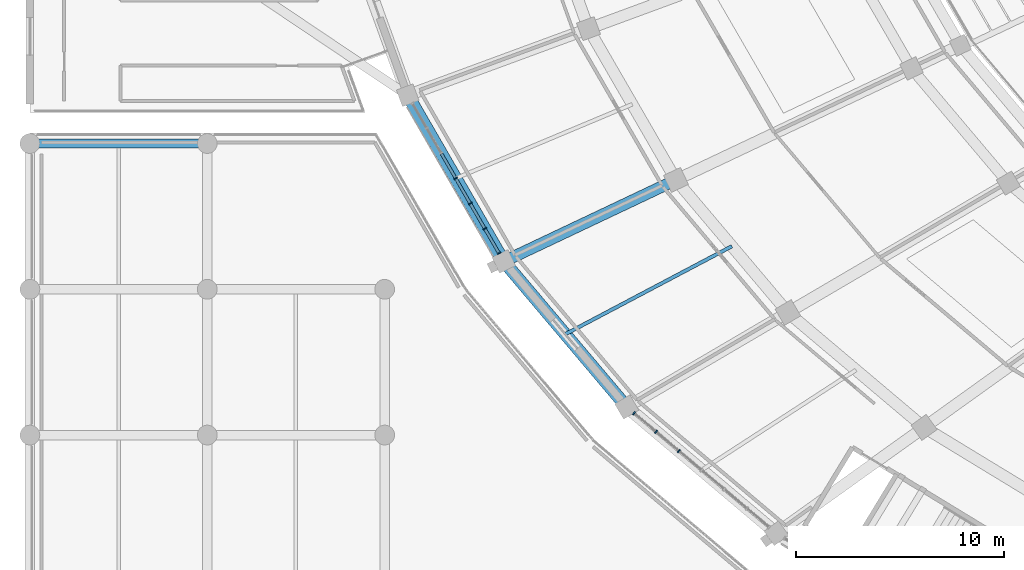
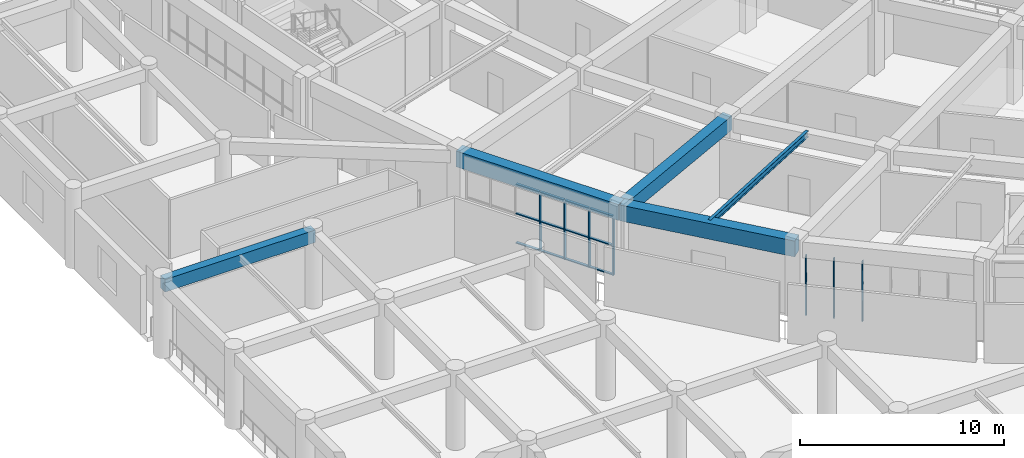
# One storey, part 17 of 152: 19 members, 5 beams, 2 elements without a shape of their own.
"""IFC4 building model written with IfcOpenShell, lengths in metres."""

import ifcopenshell
import ifcopenshell.guid

model = None  # the IFC model being written
_history = None  # IfcOwnerHistory: only IFC2X3 demands one
_inside = {}  # id of a spatial element -> (the spatial element, [elements in it])
_under = {}  # id of a project, library or spatial element -> (it, [spatial elements below it])
_declared = {}  # id of a project -> (the project, [libraries it declares])
_typed = {}  # id of a type object -> (the type object, [elements of that type])
_made_of = {}  # id of a material, layer set ... -> (it, [elements and type objects made of it])


def new_model(schema):
    """Start an empty IFC model of exactly this schema.

    Asked for "IFC4X3", IfcOpenShell would pick the latest addendum, in which some entities
    have other attributes; the version numbers below select the first issue.
    IFC2X3 requires an IfcOwnerHistory on every rooted entity: one is made here for all.
    """
    global model, _history
    if schema == "IFC4X3":
        model = ifcopenshell.file(schema_version=(4, 3, 0, 0))
    else:
        model = ifcopenshell.file(schema=schema)
    _inside.clear()
    _under.clear()
    _declared.clear()
    _typed.clear()
    _made_of.clear()
    _history = None
    if model.schema == "IFC2X3":
        org = make("IfcOrganization", Name="unknown")
        user = make(
            "IfcPersonAndOrganization",
            ThePerson=make("IfcPerson", FamilyName="unknown"),
            TheOrganization=org,
        )
        app = make(
            "IfcApplication",
            ApplicationDeveloper=org,
            Version="unknown",
            ApplicationFullName="unknown",
            ApplicationIdentifier="unknown",
        )
        _history = make(
            "IfcOwnerHistory",
            OwningUser=user,
            OwningApplication=app,
            ChangeAction="ADDED",
            CreationDate=0,
        )
    return model


def make(cls, **values):
    """One entity of the class cls with the attributes given. An attribute that is None is left unset."""
    return model.create_entity(
        cls, **{name: value for name, value in values.items() if value is not None}
    )


def rooted(cls, **values):
    """An entity with a GlobalId (a new one), such as an element, a storey or a relation."""
    return make(cls, GlobalId=ifcopenshell.guid.new(), OwnerHistory=_history, **values)


def si_unit(unit_type, name, prefix=None):
    """IfcSIUnit, for example si_unit("LENGTHUNIT", "METRE", prefix="MILLI")."""
    return make("IfcSIUnit", UnitType=unit_type, Prefix=prefix, Name=name)


def assignment(units):
    """IfcUnitAssignment: the units of a project."""
    return None if units is None else make("IfcUnitAssignment", Units=units)


def point(xyz):
    """IfcCartesianPoint."""
    return None if xyz is None else make("IfcCartesianPoint", Coordinates=xyz)


def direction(xyz):
    """IfcDirection."""
    return None if xyz is None else make("IfcDirection", DirectionRatios=xyz)


def frame(location, z_axis=None, x_axis=None):
    """IfcAxis2Placement3D, a coordinate frame: its origin and axes. An axis left out is left unset."""
    return make(
        "IfcAxis2Placement3D",
        Location=point(location),
        Axis=direction(z_axis),
        RefDirection=direction(x_axis),
    )


def frame_2d(location, x_axis=None):
    """IfcAxis2Placement2D, a coordinate frame in the plane: its origin and x axis."""
    return make(
        "IfcAxis2Placement2D", Location=point(location), RefDirection=direction(x_axis)
    )


def origin():
    """The frame at (0, 0, 0) with its axes left unset."""
    return frame((0.0, 0.0, 0.0))


def origin_2d():
    """The frame at (0, 0) in the plane with its x axis left unset."""
    return frame_2d((0.0, 0.0))


def place(relative_to, where):
    """IfcLocalPlacement: puts the frame where relative to a parent placement (None: the world)."""
    return make(
        "IfcLocalPlacement", PlacementRelTo=relative_to, RelativePlacement=where
    )


def context(
    kind, dimensions, precision=None, world=None, true_north=None, identifier=None
):
    """IfcGeometricRepresentationContext, for example the 3D "Model" context."""
    return make(
        "IfcGeometricRepresentationContext",
        ContextIdentifier=identifier,
        ContextType=kind,
        CoordinateSpaceDimension=dimensions,
        Precision=precision,
        WorldCoordinateSystem=world,
        TrueNorth=true_north,
    )


def subcontext(parent, identifier, kind, view, scale=None):
    """IfcGeometricRepresentationSubContext, for example "Body" below "Model"."""
    return make(
        "IfcGeometricRepresentationSubContext",
        ContextIdentifier=identifier,
        ContextType=kind,
        ParentContext=parent,
        TargetScale=scale,
        TargetView=view,
    )


def project(units=None, contexts=None):
    """IfcProject with its units and contexts."""
    return rooted(
        "IfcProject",
        Name="project",
        RepresentationContexts=contexts,
        UnitsInContext=assignment(units),
    )


def spatial(cls, under=None, at=None, **own):
    """A site, building, storey or space (cls), placed at a placement, below another one or the project."""
    s = rooted(cls, ObjectPlacement=at, **own)
    if under is not None:
        _under.setdefault(under.id(), (under, []))[1].append(s)
    return s


def profile(cls, at=None, kind="AREA", **sizes):
    """A parametric profile (cls). Its sizes go by their IFC names, for example OverallWidth=200.0."""
    return make(cls, ProfileType=kind, Position=at, **sizes)


def rectangle(**sizes):
    """IfcRectangleProfileDef."""
    return profile("IfcRectangleProfileDef", **sizes)


def i_section(**sizes):
    """IfcIShapeProfileDef."""
    return profile("IfcIShapeProfileDef", **sizes)


def extrude(swept, where, along, depth):
    """IfcExtrudedAreaSolid: the profile swept, set in the frame where, extruded along a direction by depth."""
    return make(
        "IfcExtrudedAreaSolid",
        SweptArea=swept,
        Position=where,
        ExtrudedDirection=direction(along),
        Depth=depth,
    )


def shape(context_of_items, identifier, shape_type, items):
    """IfcShapeRepresentation: the items that make up one representation, for example the "Body"."""
    return make(
        "IfcShapeRepresentation",
        ContextOfItems=context_of_items,
        RepresentationIdentifier=identifier,
        RepresentationType=shape_type,
        Items=items,
    )


def material(Name=None, Category=None):
    """IfcMaterial."""
    return make("IfcMaterial", Name=Name, Category=Category)


def layer(
    of_material, thickness, ventilated=None, Name=None, Category=None, Priority=None
):
    """IfcMaterialLayer: one layer of a wall or slab, of a material (None: an air gap)."""
    return make(
        "IfcMaterialLayer",
        Material=of_material,
        LayerThickness=thickness,
        IsVentilated=ventilated,
        Name=Name,
        Category=Category,
        Priority=Priority,
    )


def layer_set(layers, Name=None):
    """IfcMaterialLayerSet."""
    return make("IfcMaterialLayerSet", MaterialLayers=layers, LayerSetName=Name)


def material_profile(
    of_material, cross_section, Name=None, Category=None, Priority=None
):
    """IfcMaterialProfile: a cross section and its material."""
    return make(
        "IfcMaterialProfile",
        Name=Name,
        Material=of_material,
        Profile=cross_section,
        Priority=Priority,
        Category=Category,
    )


def profile_set(profiles, Name=None, composite=None):
    """IfcMaterialProfileSet."""
    return make(
        "IfcMaterialProfileSet",
        Name=Name,
        MaterialProfiles=profiles,
        CompositeProfile=composite,
    )


def made_of(thing, what):
    """Note that an element or type object is made of a material, layer set ...; save() writes the relation."""
    if what is not None:
        _made_of.setdefault(what.id(), (what, []))[1].append(thing)
    return thing


def type_object(cls, material=None, **own):
    """A type object (cls), such as IfcWallType, which elements share."""
    return made_of(rooted(cls, **own), material)


def element(
    cls,
    number,
    at=None,
    inside=None,
    cuts=None,
    type_object=None,
    material=None,
    context=None,
    identifier="Body",
    shape_type=None,
    held_by="IfcProductDefinitionShape",
    body=None,
    shapes=None,
    **own,
):
    """One element of the class cls, such as IfcWall. Its Tag is "e" and its number.

    at: its placement. inside: the storey or other place that contains it. cuts: it is an
    opening in that element (IfcRelVoidsElement). A single representation is given by context,
    identifier, shape_type and body (its items); several are given by shapes. held_by: the class
    of the entity that holds the representations. save() writes the other relations.
    """
    e = rooted(cls, Tag="e%d" % number, ObjectPlacement=at, **own)
    if body is not None:
        shapes = [shape(context, identifier, shape_type, body)]
    if shapes is not None:
        e.Representation = make(held_by, Representations=shapes)
    if inside is not None:
        _inside.setdefault(inside.id(), (inside, []))[1].append(e)
    if cuts is not None:
        rooted(
            "IfcRelVoidsElement", RelatingBuildingElement=cuts, RelatedOpeningElement=e
        )
    if type_object is not None:
        _typed.setdefault(type_object.id(), (type_object, []))[1].append(e)
    return made_of(e, material)


def aggregate(whole, parts):
    """IfcRelAggregates: a whole, such as a stair, and the parts it consists of."""
    return rooted("IfcRelAggregates", RelatingObject=whole, RelatedObjects=parts)


def save(model, path):
    """Write the relations noted so far, then the file.

    IfcRelAggregates (storeys below a building ...), IfcRelContainedInSpatialStructure (elements
    in a storey), IfcRelDefinesByType, IfcRelAssociatesMaterial and IfcRelDeclares: one each for
    every whole, place, type object, material and project.
    """
    for whole, parts in _under.values():
        aggregate(whole, parts)
    for where, things in _inside.values():
        rooted(
            "IfcRelContainedInSpatialStructure",
            RelatedElements=things,
            RelatingStructure=where,
        )
    for kind, things in _typed.values():
        rooted("IfcRelDefinesByType", RelatedObjects=things, RelatingType=kind)
    for what, things in _made_of.values():
        rooted("IfcRelAssociatesMaterial", RelatedObjects=things, RelatingMaterial=what)
    for by, libraries in _declared.values():
        rooted("IfcRelDeclares", RelatingContext=by, RelatedDefinitions=libraries)
    model.write(path)


model = new_model("IFC4")

# Units and contexts
model_context = context("Model", 3, precision=1e-05, world=origin(), true_north=direction((0.0, 1.0)))
body_context = subcontext(model_context, "Body", "Model", "MODEL_VIEW")
ifc_project = project(units=[si_unit("LENGTHUNIT", "METRE"), si_unit("AREAUNIT", "SQUARE_METRE"), si_unit("VOLUMEUNIT", "CUBIC_METRE"), si_unit("PLANEANGLEUNIT", "RADIAN"), si_unit("MASSUNIT", "GRAM", prefix="KILO")], contexts=[model_context])

# Site, building, storey
site_placement = place(None, origin())
site = spatial("IfcSite", under=ifc_project, at=site_placement, CompositionType="ELEMENT")
building_placement = place(site_placement, origin())
building = spatial("IfcBuilding", under=site, at=building_placement, Name="Mphavela Belvedere Stadium", CompositionType="ELEMENT")
storey_placement = place(building_placement, frame((0.0, 0.0, 5.39990234375)))
storey = spatial("IfcBuildingStorey", under=building, at=storey_placement, Name="L01", CompositionType="ELEMENT", Elevation=5.39990234375)

# Beams
ifc_material_1 = material(Name="Concrete C40/50", Category="concrete")
ifc_material_profile_1 = material_profile(ifc_material_1, rectangle(XDim=0.60009765625, YDim=0.949951171875, at=origin_2d()), Name="RC 600x950")
ifc_profile_set_1 = profile_set([ifc_material_profile_1], Name="Concrete C40/50")
beam_type_1 = type_object("IfcBeamType", Name="BM-ENTABLATURE-950", PredefinedType="SPANDREL", material=ifc_profile_set_1)
beam_1_placement = place(storey_placement, frame((18.143798828125, 51.317626953125, 4.0751953125), z_axis=(0.500565297122, -0.865698783248, 0.0), x_axis=(0.865698783248, 0.500565297122, 0.0)))
element("IfcBeam", 1, at=beam_1_placement, inside=storey, type_object=beam_type_1, Name="Circumferential girder L01 R4-28", PredefinedType="SPANDREL", context=body_context, shape_type="SweptSolid", body=[
    extrude(rectangle(XDim=0.60009765625, YDim=0.949951171875, at=origin_2d()), origin(), (0.0, 0.0, 1.0), 9.217041015625),
])
beam_2_placement = place(storey_placement, frame((22.757568359375, 43.33837890625, 4.0751953125), z_axis=(0.645164552218, -0.764043650952, 0.0), x_axis=(0.764043650952, 0.645164552218, 0.0)))
element("IfcBeam", 2, at=beam_2_placement, inside=storey, type_object=beam_type_1, Name="Circumferential girder L01 R4-29", PredefinedType="SPANDREL", context=body_context, shape_type="SweptSolid", body=[
    extrude(rectangle(XDim=0.60009765625, YDim=0.949951171875, at=origin_2d()), origin(), (0.0, 0.0, 1.0), 9.151123046875),
])
ifc_material_2 = material(Name="Steel S355", Category="steel")
ifc_material_profile_2 = material_profile(ifc_material_2, i_section(OverallWidth=0.169921875, OverallDepth=0.360107421875, WebThickness=0.008056640625, FlangeThickness=0.0126953125, at=origin_2d()), Name="IPE 360")
ifc_profile_set_2 = profile_set([ifc_material_profile_2], Name="Steel S355")
beam_type_2 = type_object("IfcBeamType", Name="BM-JOIST-IPE360", PredefinedType="JOIST", material=ifc_profile_set_2)
beam_3_placement = place(storey_placement, frame((33.7119140625, 44.06884765625, 4.3701171875), z_axis=(-0.884250771824, -0.467012390123, 0.0), x_axis=(0.467012390123, -0.884250771824, 0.0)))
element("IfcBeam", 3, at=beam_3_placement, inside=storey, type_object=beam_type_2, Name="Concourse floor joist L01-29", PredefinedType="JOIST", context=body_context, shape_type="SweptSolid", body=[
    extrude(i_section(OverallWidth=0.169921875, OverallDepth=0.360107421875, WebThickness=0.008056640625, FlangeThickness=0.0126953125, at=origin_2d()), origin(), (0.0, 0.0, 1.0), 9.0498046875),
])
ifc_material_3 = material(Name="Concrete C40/50", Category="concrete")
ifc_material_profile_3 = material_profile(ifc_material_3, rectangle(XDim=0.449951171875, YDim=0.75, at=origin_2d()), Name="RC 450x750")
ifc_profile_set_3 = profile_set([ifc_material_profile_3], Name="Concrete C40/50")
beam_type_3 = type_object("IfcBeamType", Name="BM-RC450x750", PredefinedType="BEAM", material=ifc_profile_set_3)
beam_4_placement = place(storey_placement, frame((0.0, 49.0, 4.1650390625), z_axis=(1.0, 0.0, 0.0), x_axis=(0.0, 1.0, 0.0)))
element("IfcBeam", 4, at=beam_4_placement, inside=storey, type_object=beam_type_3, Name="South Axial Triumphal Peristyle Portico entablature beam X L01 1-8", PredefinedType="BEAM", context=body_context, shape_type="SweptSolid", body=[
    extrude(rectangle(XDim=0.449951171875, YDim=0.75, at=origin_2d()), origin(), (0.0, 0.0, 1.0), 8.51904296875),
])
ifc_material_4 = material(Name="Concrete C40/50", Category="concrete")
ifc_material_profile_4 = material_profile(ifc_material_4, rectangle(XDim=0.550048828125, YDim=0.85009765625, at=origin_2d()), Name="RC 550x850")
ifc_profile_set_4 = profile_set([ifc_material_profile_4], Name="Concrete C40/50")
beam_type_4 = type_object("IfcBeamType", Name="BM-RC550x850", PredefinedType="BEAM", material=ifc_profile_set_4)
beam_5_placement = place(storey_placement, frame((31.0244140625, 47.251708984375, 4.125), z_axis=(-0.903845427073, -0.427859140325, 0.0), x_axis=(0.427859140325, -0.903845427073, 0.0)))
element("IfcBeam", 5, at=beam_5_placement, inside=storey, type_object=beam_type_4, Name="Radial concourse girder L01 R3R4-29", PredefinedType="BEAM", context=body_context, shape_type="SweptSolid", body=[
    extrude(rectangle(XDim=0.550048828125, YDim=0.85009765625, at=origin_2d()), origin(), (0.0, 0.0, 1.0), 9.146240234375),
])

# Curtain wall, members
ifc_material_5 = material(Name="Anodised bronze unitised curtain wall framing")
ifc_layer_1 = layer(ifc_material_5, 0.199951171875)
ifc_layer_set_1 = layer_set([ifc_layer_1], Name="Anodised bronze unitised curtain wall framing")
curtain_wall_type_1 = type_object("IfcCurtainWallType", Name="CW-UNIT-05", PredefinedType="USERDEFINED", material=ifc_layer_set_1)
curtain_wall_1_placement = place(storey_placement, origin())
curtain_wall_1 = element("IfcCurtainWall", 6, at=curtain_wall_1_placement, inside=storey, type_object=curtain_wall_type_1, Name="Belvedere colonnade curtain wall L01-28", ObjectType="UNITISED CURTAIN WALL", PredefinedType="USERDEFINED")
ifc_material_6 = material(Name="Anodised bronze extruded aluminium", Category="aluminium")
ifc_material_profile_5 = material_profile(ifc_material_6, rectangle(XDim=0.179931640625, YDim=0.06494140625, at=origin_2d()), Name="CW-MUL 180x65")
ifc_profile_set_5 = profile_set([ifc_material_profile_5], Name="Anodised bronze extruded aluminium")
member_type_1 = type_object("IfcMemberType", Name="CWM-180x65", PredefinedType="MULLION", material=ifc_profile_set_5)
member_1_placement = place(storey_placement, frame((20.45068359375, 47.328125, 0.0), z_axis=(0.0, 0.0, 1.0), x_axis=(0.865701507229, 0.500560586125, 0.0)))
member_1 = element("IfcMember", 7, at=member_1_placement, type_object=member_type_1, Name="CW-05 mullion 4", PredefinedType="MULLION", context=body_context, shape_type="SweptSolid", body=[
    extrude(rectangle(XDim=0.179931640625, YDim=0.06494140625, at=origin_2d()), origin(), (0.0, 0.0, 1.0), 3.570068359375),
])
member_2_placement = place(storey_placement, frame((21.149169921875, 46.120361328125, 0.0), z_axis=(0.0, 0.0, 1.0), x_axis=(0.865701507229, 0.500560586125, 0.0)))
member_2 = element("IfcMember", 8, at=member_2_placement, type_object=member_type_1, Name="CW-05 mullion 5", PredefinedType="MULLION", context=body_context, shape_type="SweptSolid", body=[
    extrude(rectangle(XDim=0.179931640625, YDim=0.06494140625, at=origin_2d()), origin(), (0.0, 0.0, 1.0), 3.570068359375),
])
member_3_placement = place(storey_placement, frame((21.847412109375, 44.91259765625, 0.0), z_axis=(0.0, 0.0, 1.0), x_axis=(0.865701507229, 0.500560586125, 0.0)))
member_3 = element("IfcMember", 9, at=member_3_placement, type_object=member_type_1, Name="CW-05 mullion 6", PredefinedType="MULLION", context=body_context, shape_type="SweptSolid", body=[
    extrude(rectangle(XDim=0.179931640625, YDim=0.06494140625, at=origin_2d()), origin(), (0.0, 0.0, 1.0), 3.570068359375),
])
member_4_placement = place(storey_placement, frame((22.529541015625, 43.73291015625, 0.0), z_axis=(0.0, 0.0, 1.0), x_axis=(0.865701507229, 0.500560586125, 0.0)))
member_4 = element("IfcMember", 10, at=member_4_placement, type_object=member_type_1, Name="CW-05 mullion 7", PredefinedType="MULLION", context=body_context, shape_type="SweptSolid", body=[
    extrude(rectangle(XDim=0.179931640625, YDim=0.06494140625, at=origin_2d()), origin(), (0.0, 0.0, 1.0), 3.570068359375),
])

ifc_material_7 = material(Name="Anodised bronze unitised curtain wall framing")
ifc_layer_2 = layer(ifc_material_7, 0.205078125)
ifc_layer_set_2 = layer_set([ifc_layer_2], Name="Anodised bronze unitised curtain wall framing")
curtain_wall_type_2 = type_object("IfcCurtainWallType", Name="CW-UNIT-06", PredefinedType="USERDEFINED", material=ifc_layer_set_2)
curtain_wall_2_placement = place(storey_placement, origin())
curtain_wall_2 = element("IfcCurtainWall", 11, at=curtain_wall_2_placement, inside=storey, type_object=curtain_wall_type_2, Name="Belvedere colonnade curtain wall L01-30", ObjectType="UNITISED CURTAIN WALL", PredefinedType="USERDEFINED")
member_5_placement = place(storey_placement, frame((29.009765625, 36.052734375, 0.0), z_axis=(0.0, 0.0, 1.0), x_axis=(0.644909572272, 0.76425888519, 0.0)))
member_5 = element("IfcMember", 12, at=member_5_placement, type_object=member_type_1, Name="CW-06 mullion 1", PredefinedType="MULLION", context=body_context, shape_type="SweptSolid", body=[
    extrude(rectangle(XDim=0.179931640625, YDim=0.06494140625, at=origin_2d()), origin(), (0.0, 0.0, 1.0), 3.570068359375),
])
member_6_placement = place(storey_placement, frame((30.074462890625, 35.154541015625, 0.0), z_axis=(0.0, 0.0, 1.0), x_axis=(0.644909572272, 0.76425888519, 0.0)))
member_6 = element("IfcMember", 13, at=member_6_placement, type_object=member_type_1, Name="CW-06 mullion 2", PredefinedType="MULLION", context=body_context, shape_type="SweptSolid", body=[
    extrude(rectangle(XDim=0.179931640625, YDim=0.06494140625, at=origin_2d()), origin(), (0.0, 0.0, 1.0), 3.570068359375),
])
member_7_placement = place(storey_placement, frame((31.163818359375, 34.2353515625, 0.0), z_axis=(0.0, 0.0, 1.0), x_axis=(0.644909572272, 0.76425888519, 0.0)))
member_7 = element("IfcMember", 14, at=member_7_placement, type_object=member_type_1, Name="CW-06 mullion 3", PredefinedType="MULLION", context=body_context, shape_type="SweptSolid", body=[
    extrude(rectangle(XDim=0.179931640625, YDim=0.06494140625, at=origin_2d()), origin(), (0.0, 0.0, 1.0), 3.570068359375),
])
aggregate(curtain_wall_2, [member_5, member_6, member_7])

# Member
ifc_material_8 = material(Name="Anodised bronze extruded aluminium", Category="aluminium")
ifc_material_profile_6 = material_profile(ifc_material_8, rectangle(XDim=0.139892578125, YDim=0.06005859375, at=origin_2d()), Name="CW-TRN 140x60")
ifc_profile_set_6 = profile_set([ifc_material_profile_6], Name="Anodised bronze extruded aluminium")
member_type_2 = type_object("IfcMemberType", Name="CWT-140x60", PredefinedType="USERDEFINED", material=ifc_profile_set_6)
member_8_placement = place(storey_placement, frame((19.7685546875, 48.5078125, 0.030029296875), z_axis=(0.500500799875, -0.865736073711, 0.0), x_axis=(0.865736073711, 0.500500799875, 0.0)))
member_8 = element("IfcMember", 15, at=member_8_placement, type_object=member_type_2, Name="CW-05 transom 3.1", ObjectType="TRANSOM", PredefinedType="USERDEFINED", context=body_context, shape_type="SweptSolid", body=[
    extrude(rectangle(XDim=0.139892578125, YDim=0.06005859375, at=origin_2d()), origin(), (0.0, 0.0, 1.0), 1.330322265625),
])

member_9_placement = place(storey_placement, frame((19.7685546875, 48.5078125, 1.78515625), z_axis=(0.500500799875, -0.865736073711, 0.0), x_axis=(0.865736073711, 0.500500799875, 0.0)))
member_9 = element("IfcMember", 16, at=member_9_placement, type_object=member_type_2, Name="CW-05 transom 3.2", ObjectType="TRANSOM", PredefinedType="USERDEFINED", context=body_context, shape_type="SweptSolid", body=[
    extrude(rectangle(XDim=0.139892578125, YDim=0.06005859375, at=origin_2d()), origin(), (0.0, 0.0, 1.0), 1.330322265625),
])

member_10_placement = place(storey_placement, frame((19.7685546875, 48.5078125, 3.5400390625), z_axis=(0.500500799875, -0.865736073711, 0.0), x_axis=(0.865736073711, 0.500500799875, 0.0)))
member_10 = element("IfcMember", 17, at=member_10_placement, type_object=member_type_2, Name="CW-05 transom 3.3", ObjectType="TRANSOM", PredefinedType="USERDEFINED", context=body_context, shape_type="SweptSolid", body=[
    extrude(rectangle(XDim=0.139892578125, YDim=0.06005859375, at=origin_2d()), origin(), (0.0, 0.0, 1.0), 1.330322265625),
])

member_11_placement = place(storey_placement, frame((20.467041015625, 47.300048828125, 0.030029296875), z_axis=(0.500500799875, -0.865736073711, 0.0), x_axis=(0.865736073711, 0.500500799875, 0.0)))
member_11 = element("IfcMember", 18, at=member_11_placement, type_object=member_type_2, Name="CW-05 transom 4.1", ObjectType="TRANSOM", PredefinedType="USERDEFINED", context=body_context, shape_type="SweptSolid", body=[
    extrude(rectangle(XDim=0.139892578125, YDim=0.06005859375, at=origin_2d()), origin(), (0.0, 0.0, 1.0), 1.330322265625),
])

member_12_placement = place(storey_placement, frame((20.467041015625, 47.300048828125, 1.78515625), z_axis=(0.500500799875, -0.865736073711, 0.0), x_axis=(0.865736073711, 0.500500799875, 0.0)))
member_12 = element("IfcMember", 19, at=member_12_placement, type_object=member_type_2, Name="CW-05 transom 4.2", ObjectType="TRANSOM", PredefinedType="USERDEFINED", context=body_context, shape_type="SweptSolid", body=[
    extrude(rectangle(XDim=0.139892578125, YDim=0.06005859375, at=origin_2d()), origin(), (0.0, 0.0, 1.0), 1.330322265625),
])

member_13_placement = place(storey_placement, frame((20.467041015625, 47.300048828125, 3.5400390625), z_axis=(0.500500799875, -0.865736073711, 0.0), x_axis=(0.865736073711, 0.500500799875, 0.0)))
member_13 = element("IfcMember", 20, at=member_13_placement, type_object=member_type_2, Name="CW-05 transom 4.3", ObjectType="TRANSOM", PredefinedType="USERDEFINED", context=body_context, shape_type="SweptSolid", body=[
    extrude(rectangle(XDim=0.139892578125, YDim=0.06005859375, at=origin_2d()), origin(), (0.0, 0.0, 1.0), 1.330322265625),
])

member_14_placement = place(storey_placement, frame((21.165283203125, 46.09228515625, 0.030029296875), z_axis=(0.500500799875, -0.865736073711, 0.0), x_axis=(0.865736073711, 0.500500799875, 0.0)))
member_14 = element("IfcMember", 21, at=member_14_placement, type_object=member_type_2, Name="CW-05 transom 5.1", ObjectType="TRANSOM", PredefinedType="USERDEFINED", context=body_context, shape_type="SweptSolid", body=[
    extrude(rectangle(XDim=0.139892578125, YDim=0.06005859375, at=origin_2d()), origin(), (0.0, 0.0, 1.0), 1.330322265625),
])

member_15_placement = place(storey_placement, frame((21.165283203125, 46.09228515625, 1.78515625), z_axis=(0.500500799875, -0.865736073711, 0.0), x_axis=(0.865736073711, 0.500500799875, 0.0)))
member_15 = element("IfcMember", 22, at=member_15_placement, type_object=member_type_2, Name="CW-05 transom 5.2", ObjectType="TRANSOM", PredefinedType="USERDEFINED", context=body_context, shape_type="SweptSolid", body=[
    extrude(rectangle(XDim=0.139892578125, YDim=0.06005859375, at=origin_2d()), origin(), (0.0, 0.0, 1.0), 1.330322265625),
])

member_16_placement = place(storey_placement, frame((21.165283203125, 46.09228515625, 3.5400390625), z_axis=(0.500500799875, -0.865736073711, 0.0), x_axis=(0.865736073711, 0.500500799875, 0.0)))
member_16 = element("IfcMember", 23, at=member_16_placement, type_object=member_type_2, Name="CW-05 transom 5.3", ObjectType="TRANSOM", PredefinedType="USERDEFINED", context=body_context, shape_type="SweptSolid", body=[
    extrude(rectangle(XDim=0.139892578125, YDim=0.06005859375, at=origin_2d()), origin(), (0.0, 0.0, 1.0), 1.330322265625),
])

member_17_placement = place(storey_placement, frame((21.86376953125, 44.88427734375, 0.030029296875), z_axis=(0.500509559837, -0.865731009328, 0.0), x_axis=(0.865731009328, 0.500509559837, 0.0)))
member_17 = element("IfcMember", 24, at=member_17_placement, type_object=member_type_2, Name="CW-05 transom 6.1", ObjectType="TRANSOM", PredefinedType="USERDEFINED", context=body_context, shape_type="SweptSolid", body=[
    extrude(rectangle(XDim=0.139892578125, YDim=0.06005859375, at=origin_2d()), origin(), (0.0, 0.0, 1.0), 1.297607421875),
])

member_18_placement = place(storey_placement, frame((21.86376953125, 44.88427734375, 1.78515625), z_axis=(0.500509559837, -0.865731009328, 0.0), x_axis=(0.865731009328, 0.500509559837, 0.0)))
member_18 = element("IfcMember", 25, at=member_18_placement, type_object=member_type_2, Name="CW-05 transom 6.2", ObjectType="TRANSOM", PredefinedType="USERDEFINED", context=body_context, shape_type="SweptSolid", body=[
    extrude(rectangle(XDim=0.139892578125, YDim=0.06005859375, at=origin_2d()), origin(), (0.0, 0.0, 1.0), 1.297607421875),
])

member_19_placement = place(storey_placement, frame((21.86376953125, 44.88427734375, 3.5400390625), z_axis=(0.500509559837, -0.865731009328, 0.0), x_axis=(0.865731009328, 0.500509559837, 0.0)))
member_19 = element("IfcMember", 26, at=member_19_placement, type_object=member_type_2, Name="CW-05 transom 6.3", ObjectType="TRANSOM", PredefinedType="USERDEFINED", context=body_context, shape_type="SweptSolid", body=[
    extrude(rectangle(XDim=0.139892578125, YDim=0.06005859375, at=origin_2d()), origin(), (0.0, 0.0, 1.0), 1.297607421875),
])

aggregate(curtain_wall_1, [member_1, member_2, member_3, member_4, member_8, member_9, member_10, member_11, member_12, member_13, member_14, member_15, member_16, member_17, member_18, member_19])

save(model, "model.ifc")
